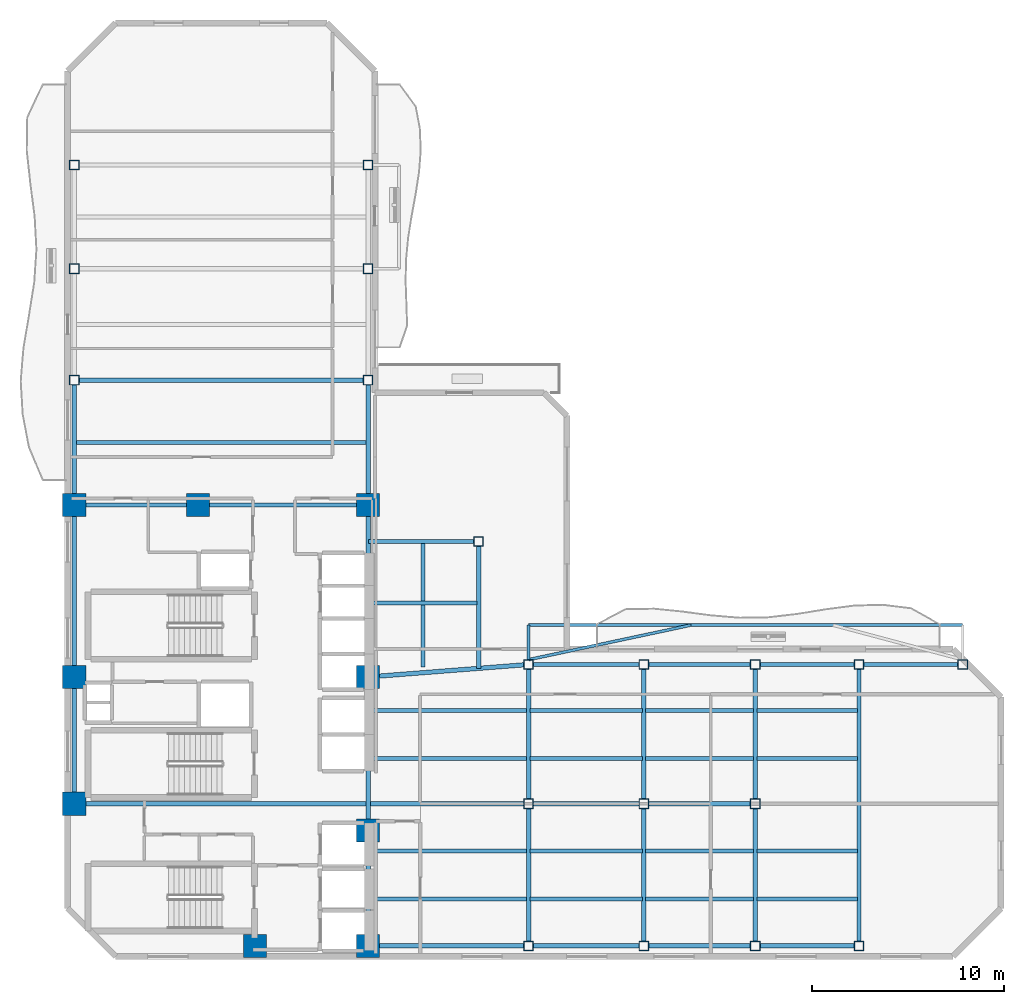
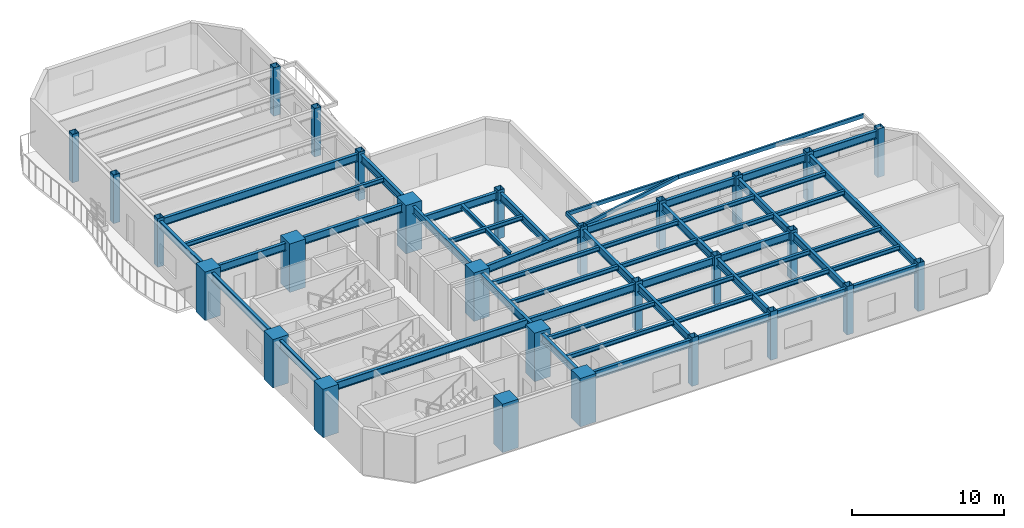
# One storey, part 1 of 9: 53 beams, 28 columns.
"""IFC4 building model written with IfcOpenShell, lengths in metres."""

from ifc_helpers import new_model, si_unit, direction, frame, origin, origin_2d, place, context, subcontext, project, spatial, rectangle, hollow_rectangle, i_section, extrude, material, material_profile, profile_set, type_object, element, save


model = new_model("IFC4")

# Units and contexts
model_context = context("Model", 3, precision=1e-05, world=origin(), true_north=direction((0.0, 1.0)))
body_context = subcontext(model_context, "Body", "Model", "MODEL_VIEW")
ifc_project = project(units=[si_unit("LENGTHUNIT", "METRE"), si_unit("AREAUNIT", "SQUARE_METRE"), si_unit("VOLUMEUNIT", "CUBIC_METRE"), si_unit("PLANEANGLEUNIT", "RADIAN"), si_unit("MASSUNIT", "GRAM", prefix="KILO")], contexts=[model_context])

# Site, building, storey
site_placement = place(None, origin())
site = spatial("IfcSite", under=ifc_project, at=site_placement, CompositionType="ELEMENT")
building_placement = place(site_placement, origin())
building = spatial("IfcBuilding", under=site, at=building_placement, Name="Mawjaban Terraces University", CompositionType="ELEMENT")
storey_placement = place(building_placement, frame((0.0, 0.0, 115.10009765625)))
storey = spatial("IfcBuildingStorey", under=building, at=storey_placement, Name="L27", CompositionType="ELEMENT", Elevation=115.10009765625)

# Columns
ifc_material_1 = material(Name="Concrete C60/75", Category="concrete")
ifc_material_profile_1 = material_profile(ifc_material_1, rectangle(XDim=1.199951171875, YDim=1.199951171875, at=origin_2d()), Name="RC1200X1200")
ifc_profile_set_1 = profile_set([ifc_material_profile_1], Name="Concrete C60/75")
column_type_1 = type_object("IfcColumnType", Name="Col_RC1200X1200", PredefinedType="COLUMN", material=ifc_profile_set_1)
for number, where, z_axis, x_axis, name in (
    (1, (31.75, 0.550048828125, 0.0), (0.0, 0.0, 1.0), (1.0, 0.0, 0.0), "L27 Column CC2"),
    (2, (37.64990234375, 0.550048828125, 0.0), (0.0, 0.0, 1.0), (1.0, 0.0, 0.0), "L27 Column CC3"),
    (3, (22.35009765625, 7.949951171875, 0.0), (0.0, 0.0, 1.0), (1.0, 0.0, 0.0), "L27 Column CC4"),
    (4, (37.64990234375, 6.550048828125, 0.0), (0.0, 0.0, 1.0), (1.0, 0.0, 0.0), "L27 Column CC5"),
    (5, (22.35009765625, 14.550048828125, 0.0), (0.0, 0.0, 1.0), (1.0, 0.0, 0.0), "L27 Column CC6"),
    (6, (37.64990234375, 14.550048828125, 0.0), (0.0, 0.0, 1.0), (1.0, 0.0, 0.0), "L27 Column CC7"),
    (7, (22.35009765625, 23.5, 0.0), (0.0, 0.0, 1.0), (1.0, 0.0, 0.0), "L27 Column CC8"),
    (8, (28.800048828125, 23.5, 0.0), (0.0, 0.0, 1.0), (1.0, 0.0, 0.0), "L27 Column CC9"),
    (9, (37.64990234375, 23.5, 0.0), (0.0, 0.0, 1.0), (1.0, 0.0, 0.0), "L27 Column CC10"),
):
    element("IfcColumn", number, at=place(storey_placement, frame(where, z_axis=z_axis, x_axis=x_axis)), inside=storey, type_object=column_type_1, Name=name, PredefinedType="COLUMN", context=body_context, shape_type="SweptSolid", body=[
        extrude(rectangle(XDim=1.199951171875, YDim=1.199951171875, at=origin_2d()), origin(), (0.0, 0.0, 1.0), 3.89990234375),
    ])
ifc_material_2 = material(Name="Steel EN 10210-1 S355J2H", Category="steel")
ifc_material_profile_2 = material_profile(ifc_material_2, hollow_rectangle(XDim=0.5, YDim=0.5, WallThickness=0.02490234375, at=origin_2d()), Name="SHS500X500X25")
ifc_profile_set_2 = profile_set([ifc_material_profile_2], Name="Steel EN 10210-1 S355J2H")
column_type_2 = type_object("IfcColumnType", Name="Col_SHS500X500X25", PredefinedType="COLUMN", material=ifc_profile_set_2)
for number, where, z_axis, x_axis, name in (
    (10, (46.0, 0.550048828125, 0.0), (0.0, 0.0, 1.0), (1.0, 0.0, 0.0), "L27 Column TE-460-005"),
    (11, (46.0, 7.949951171875, 0.0), (0.0, 0.0, 1.0), (1.0, 0.0, 0.0), "L27 Column TE-460-080"),
    (12, (46.0, 15.199951171875, 0.0), (0.0, 0.0, 1.0), (1.0, 0.0, 0.0), "L27 Column TE-460-152"),
    (13, (52.0, 0.550048828125, 0.0), (0.0, 0.0, 1.0), (1.0, 0.0, 0.0), "L27 Column TE-520-005"),
    (14, (52.0, 7.949951171875, 0.0), (0.0, 0.0, 1.0), (1.0, 0.0, 0.0), "L27 Column TE-520-080"),
    (15, (52.0, 15.199951171875, 0.0), (0.0, 0.0, 1.0), (1.0, 0.0, 0.0), "L27 Column TE-520-152"),
    (16, (57.800048828125, 0.550048828125, 0.0), (0.0, 0.0, 1.0), (1.0, 0.0, 0.0), "L27 Column TE-578-005"),
    (17, (57.800048828125, 7.949951171875, 0.0), (0.0, 0.0, 1.0), (1.0, 0.0, 0.0), "L27 Column TE-578-080"),
    (18, (57.800048828125, 15.199951171875, 0.0), (0.0, 0.0, 1.0), (1.0, 0.0, 0.0), "L27 Column TE-578-152"),
    (19, (63.199951171875, 0.550048828125, 0.0), (0.0, 0.0, 1.0), (1.0, 0.0, 0.0), "L27 Column TE-632-005"),
    (20, (63.199951171875, 15.199951171875, 0.0), (0.0, 0.0, 1.0), (1.0, 0.0, 0.0), "L27 Column TE-632-152"),
    (21, (68.60009765625, 15.199951171875, 0.0), (0.0, 0.0, 1.0), (1.0, 0.0, 0.0), "L27 Column TE-686-152"),
    (22, (22.35009765625, 30.0, 0.0), (0.0, 0.0, 1.0), (1.0, 0.0, 0.0), "L27 Column TN-223-300"),
    (23, (37.64990234375, 30.0, 0.0), (0.0, 0.0, 1.0), (1.0, 0.0, 0.0), "L27 Column TN-376-300"),
    (24, (22.35009765625, 35.800048828125, 0.0), (0.0, 0.0, 1.0), (1.0, 0.0, 0.0), "L27 Column TN-223-358"),
    (25, (37.64990234375, 35.800048828125, 0.0), (0.0, 0.0, 1.0), (1.0, 0.0, 0.0), "L27 Column TN-376-358"),
    (26, (22.35009765625, 41.199951171875, 0.0), (0.0, 0.0, 1.0), (1.0, 0.0, 0.0), "L27 Column TN-223-412"),
    (27, (37.64990234375, 41.199951171875, 0.0), (0.0, 0.0, 1.0), (1.0, 0.0, 0.0), "L27 Column TN-376-412"),
    (28, (43.39990234375, 21.60009765625, 0.0), (0.0, 0.0, 1.0), (1.0, 0.0, 0.0), "L27 Column TS-434-216"),
):
    element("IfcColumn", number, at=place(storey_placement, frame(where, z_axis=z_axis, x_axis=x_axis)), inside=storey, type_object=column_type_2, Name=name, PredefinedType="COLUMN", context=body_context, shape_type="SweptSolid", body=[
        extrude(hollow_rectangle(XDim=0.5, YDim=0.5, WallThickness=0.02490234375, at=origin_2d()), origin(), (0.0, 0.0, 1.0), 3.89990234375),
    ])

# Beams
ifc_material_profile_3 = material_profile(ifc_material_2, hollow_rectangle(XDim=0.14990234375, YDim=0.300048828125, WallThickness=0.012451171875, at=origin_2d()), Name="RHS300X150X12.5")
ifc_profile_set_3 = profile_set([ifc_material_profile_3], Name="Steel EN 10210-1 S355J2H")
beam_type_1 = type_object("IfcBeamType", Name="BalconyCantileverSpandrel_RHS", PredefinedType="SPANDREL", material=ifc_profile_set_3)
beam_1_placement = place(storey_placement, frame((46.0, 15.449951171875, 3.539794921875), z_axis=(0.0, 1.0, 0.0), x_axis=(-1.0, 0.0, 0.0)))
element("IfcBeam", 29, at=beam_1_placement, inside=storey, type_object=beam_type_1, Name="L27 Exterior Outrigger BAL-L28-N.1", PredefinedType="SPANDREL", context=body_context, shape_type="SweptSolid", body=[
    extrude(hollow_rectangle(XDim=0.14990234375, YDim=0.300048828125, WallThickness=0.012451171875, at=origin_2d()), origin(), (0.0, 0.0, 1.0), 1.800048828125),
])
beam_2_placement = place(storey_placement, frame((46.0, 17.25, 3.539794921875), z_axis=(1.0, 0.0, 0.0), x_axis=(0.0, 1.0, 0.0)))
element("IfcBeam", 30, at=beam_2_placement, inside=storey, type_object=beam_type_1, Name="L27 Exterior Edge Spandrel BAL-L28-N", PredefinedType="SPANDREL", context=body_context, shape_type="SweptSolid", body=[
    extrude(hollow_rectangle(XDim=0.14990234375, YDim=0.300048828125, WallThickness=0.012451171875, at=origin_2d()), origin(), (0.0, 0.0, 1.0), 22.60009765625),
])
beam_3_placement = place(storey_placement, frame((46.0, 15.449951171875, 3.539794921875), z_axis=(0.978069088277, 0.208280720558, 0.0), x_axis=(-0.208280720558, 0.978069088277, 0.0)))
element("IfcBeam", 31, at=beam_3_placement, inside=storey, type_object=beam_type_1, Name="L27 Exterior Diagonal Strut BAL-L28-N.1", PredefinedType="SPANDREL", context=body_context, shape_type="SweptSolid", body=[
    extrude(hollow_rectangle(XDim=0.14990234375, YDim=0.300048828125, WallThickness=0.012451171875, at=origin_2d()), origin(), (0.0, 0.0, 1.0), 8.642333984375),
])
ifc_material_3 = material(Name="Steel ASTM A572 Grade 50", Category="steel")
ifc_material_profile_4 = material_profile(ifc_material_3, i_section(OverallWidth=0.22998046875, OverallDepth=0.616943359375, WebThickness=0.01318359375, FlangeThickness=0.022216796875, at=origin_2d()), Name="W610X140")
ifc_profile_set_4 = profile_set([ifc_material_profile_4], Name="Steel ASTM A572 Grade 50")
beam_type_2 = type_object("IfcBeamType", Name="Beam_B_W610X140", PredefinedType="BEAM", material=ifc_profile_set_4)
beam_4_placement = place(storey_placement, frame((38.25, 0.550048828125, 3.3818359375), z_axis=(1.0, 0.0, 0.0), x_axis=(0.0, 1.0, 0.0)))
element("IfcBeam", 32, at=beam_4_placement, inside=storey, type_object=beam_type_2, Name="L27 Beam BM-L27-EW-01", PredefinedType="BEAM", context=body_context, shape_type="SweptSolid", body=[
    extrude(i_section(OverallWidth=0.22998046875, OverallDepth=0.616943359375, WebThickness=0.01318359375, FlangeThickness=0.022216796875, at=origin_2d()), origin(), (0.0, 0.0, 1.0), 7.5),
])
beam_5_placement = place(storey_placement, frame((46.25, 0.550048828125, 3.3818359375), z_axis=(1.0, 0.0, 0.0), x_axis=(0.0, 1.0, 0.0)))
element("IfcBeam", 33, at=beam_5_placement, inside=storey, type_object=beam_type_2, Name="L27 Beam BM-L27-EW-02", PredefinedType="BEAM", context=body_context, shape_type="SweptSolid", body=[
    extrude(i_section(OverallWidth=0.22998046875, OverallDepth=0.616943359375, WebThickness=0.01318359375, FlangeThickness=0.022216796875, at=origin_2d()), origin(), (0.0, 0.0, 1.0), 5.5),
])
beam_6_placement = place(storey_placement, frame((52.25, 0.550048828125, 3.3818359375), z_axis=(1.0, 0.0, 0.0), x_axis=(0.0, 1.0, 0.0)))
element("IfcBeam", 34, at=beam_6_placement, inside=storey, type_object=beam_type_2, Name="L27 Beam BM-L27-EW-03", PredefinedType="BEAM", context=body_context, shape_type="SweptSolid", body=[
    extrude(i_section(OverallWidth=0.22998046875, OverallDepth=0.616943359375, WebThickness=0.01318359375, FlangeThickness=0.022216796875, at=origin_2d()), origin(), (0.0, 0.0, 1.0), 5.300048828125),
])
beam_7_placement = place(storey_placement, frame((58.050048828125, 0.550048828125, 3.3818359375), z_axis=(1.0, 0.0, 0.0), x_axis=(0.0, 1.0, 0.0)))
element("IfcBeam", 35, at=beam_7_placement, inside=storey, type_object=beam_type_2, Name="L27 Beam BM-L27-EW-04", PredefinedType="BEAM", context=body_context, shape_type="SweptSolid", body=[
    extrude(i_section(OverallWidth=0.22998046875, OverallDepth=0.616943359375, WebThickness=0.01318359375, FlangeThickness=0.022216796875, at=origin_2d()), origin(), (0.0, 0.0, 1.0), 4.89990234375),
])
beam_8_placement = place(storey_placement, frame((22.949951171875, 7.949951171875, 3.3818359375), z_axis=(1.0, 0.0, 0.0), x_axis=(0.0, 1.0, 0.0)))
element("IfcBeam", 36, at=beam_8_placement, inside=storey, type_object=beam_type_2, Name="L27 Beam BM-L27-EW-05", PredefinedType="BEAM", context=body_context, shape_type="SweptSolid", body=[
    extrude(i_section(OverallWidth=0.22998046875, OverallDepth=0.616943359375, WebThickness=0.01318359375, FlangeThickness=0.022216796875, at=origin_2d()), origin(), (0.0, 0.0, 1.0), 22.800048828125),
])
beam_9_placement = place(storey_placement, frame((46.25, 7.949951171875, 3.3818359375), z_axis=(1.0, 0.0, 0.0), x_axis=(0.0, 1.0, 0.0)))
element("IfcBeam", 37, at=beam_9_placement, inside=storey, type_object=beam_type_2, Name="L27 Beam BM-L27-EW-06", PredefinedType="BEAM", context=body_context, shape_type="SweptSolid", body=[
    extrude(i_section(OverallWidth=0.22998046875, OverallDepth=0.616943359375, WebThickness=0.01318359375, FlangeThickness=0.022216796875, at=origin_2d()), origin(), (0.0, 0.0, 1.0), 5.5),
])
beam_10_placement = place(storey_placement, frame((52.25, 7.949951171875, 3.3818359375), z_axis=(1.0, 0.0, 0.0), x_axis=(0.0, 1.0, 0.0)))
element("IfcBeam", 38, at=beam_10_placement, inside=storey, type_object=beam_type_2, Name="L27 Beam BM-L27-EW-07", PredefinedType="BEAM", context=body_context, shape_type="SweptSolid", body=[
    extrude(i_section(OverallWidth=0.22998046875, OverallDepth=0.616943359375, WebThickness=0.01318359375, FlangeThickness=0.022216796875, at=origin_2d()), origin(), (0.0, 0.0, 1.0), 5.300048828125),
])
beam_11_placement = place(storey_placement, frame((46.25, 15.199951171875, 3.3818359375), z_axis=(1.0, 0.0, 0.0), x_axis=(0.0, 1.0, 0.0)))
element("IfcBeam", 39, at=beam_11_placement, inside=storey, type_object=beam_type_2, Name="L27 Beam BM-L27-EW-08", PredefinedType="BEAM", context=body_context, shape_type="SweptSolid", body=[
    extrude(i_section(OverallWidth=0.22998046875, OverallDepth=0.616943359375, WebThickness=0.01318359375, FlangeThickness=0.022216796875, at=origin_2d()), origin(), (0.0, 0.0, 1.0), 5.5),
])
beam_12_placement = place(storey_placement, frame((52.25, 15.199951171875, 3.3818359375), z_axis=(1.0, 0.0, 0.0), x_axis=(0.0, 1.0, 0.0)))
element("IfcBeam", 40, at=beam_12_placement, inside=storey, type_object=beam_type_2, Name="L27 Beam BM-L27-EW-09", PredefinedType="BEAM", context=body_context, shape_type="SweptSolid", body=[
    extrude(i_section(OverallWidth=0.22998046875, OverallDepth=0.616943359375, WebThickness=0.01318359375, FlangeThickness=0.022216796875, at=origin_2d()), origin(), (0.0, 0.0, 1.0), 5.300048828125),
])
beam_13_placement = place(storey_placement, frame((58.050048828125, 15.199951171875, 3.3818359375), z_axis=(1.0, 0.0, 0.0), x_axis=(0.0, 1.0, 0.0)))
element("IfcBeam", 41, at=beam_13_placement, inside=storey, type_object=beam_type_2, Name="L27 Beam BM-L27-EW-10", PredefinedType="BEAM", context=body_context, shape_type="SweptSolid", body=[
    extrude(i_section(OverallWidth=0.22998046875, OverallDepth=0.616943359375, WebThickness=0.01318359375, FlangeThickness=0.022216796875, at=origin_2d()), origin(), (0.0, 0.0, 1.0), 4.89990234375),
])
beam_14_placement = place(storey_placement, frame((63.449951171875, 15.199951171875, 3.3818359375), z_axis=(1.0, 0.0, 0.0), x_axis=(0.0, 1.0, 0.0)))
element("IfcBeam", 42, at=beam_14_placement, inside=storey, type_object=beam_type_2, Name="L27 Beam BM-L27-EW-11", PredefinedType="BEAM", context=body_context, shape_type="SweptSolid", body=[
    extrude(i_section(OverallWidth=0.22998046875, OverallDepth=0.616943359375, WebThickness=0.01318359375, FlangeThickness=0.022216796875, at=origin_2d()), origin(), (0.0, 0.0, 1.0), 4.900146484375),
])
beam_15_placement = place(storey_placement, frame((22.949951171875, 23.5, 3.3818359375), z_axis=(1.0, 0.0, 0.0), x_axis=(0.0, 1.0, 0.0)))
element("IfcBeam", 43, at=beam_15_placement, inside=storey, type_object=beam_type_2, Name="L27 Beam BM-L27-EW-12", PredefinedType="BEAM", context=body_context, shape_type="SweptSolid", body=[
    extrude(i_section(OverallWidth=0.22998046875, OverallDepth=0.616943359375, WebThickness=0.01318359375, FlangeThickness=0.022216796875, at=origin_2d()), origin(), (0.0, 0.0, 1.0), 5.25),
])
beam_16_placement = place(storey_placement, frame((29.39990234375, 23.5, 3.3818359375), z_axis=(1.0, 0.0, 0.0), x_axis=(0.0, 1.0, 0.0)))
element("IfcBeam", 44, at=beam_16_placement, inside=storey, type_object=beam_type_2, Name="L27 Beam BM-L27-EW-13", PredefinedType="BEAM", context=body_context, shape_type="SweptSolid", body=[
    extrude(i_section(OverallWidth=0.22998046875, OverallDepth=0.616943359375, WebThickness=0.01318359375, FlangeThickness=0.022216796875, at=origin_2d()), origin(), (0.0, 0.0, 1.0), 7.650146484375),
])
beam_17_placement = place(storey_placement, frame((22.60009765625, 30.0, 3.3818359375), z_axis=(1.0, 0.0, 0.0), x_axis=(0.0, 1.0, 0.0)))
element("IfcBeam", 45, at=beam_17_placement, inside=storey, type_object=beam_type_2, Name="L27 Beam BM-L27-EW-14", PredefinedType="BEAM", context=body_context, shape_type="SweptSolid", body=[
    extrude(i_section(OverallWidth=0.22998046875, OverallDepth=0.616943359375, WebThickness=0.01318359375, FlangeThickness=0.022216796875, at=origin_2d()), origin(), (0.0, 0.0, 1.0), 14.7998046875),
])
beam_18_placement = place(storey_placement, frame((22.35009765625, 8.550048828125, 3.3818359375), z_axis=(0.0, 1.0, 0.0), x_axis=(-1.0, 0.0, 0.0)))
element("IfcBeam", 46, at=beam_18_placement, inside=storey, type_object=beam_type_2, Name="L27 Beam BM-L27-NS-01", PredefinedType="BEAM", context=body_context, shape_type="SweptSolid", body=[
    extrude(i_section(OverallWidth=0.22998046875, OverallDepth=0.616943359375, WebThickness=0.01318359375, FlangeThickness=0.022216796875, at=origin_2d()), origin(), (0.0, 0.0, 1.0), 5.39990234375),
])
beam_19_placement = place(storey_placement, frame((22.35009765625, 15.14990234375, 3.3818359375), z_axis=(0.0, 1.0, 0.0), x_axis=(-1.0, 0.0, 0.0)))
element("IfcBeam", 47, at=beam_19_placement, inside=storey, type_object=beam_type_2, Name="L27 Beam BM-L27-NS-02", PredefinedType="BEAM", context=body_context, shape_type="SweptSolid", body=[
    extrude(i_section(OverallWidth=0.22998046875, OverallDepth=0.616943359375, WebThickness=0.01318359375, FlangeThickness=0.022216796875, at=origin_2d()), origin(), (0.0, 0.0, 1.0), 7.75),
])
beam_20_placement = place(storey_placement, frame((22.35009765625, 24.10009765625, 3.3818359375), z_axis=(0.0, 1.0, 0.0), x_axis=(-1.0, 0.0, 0.0)))
element("IfcBeam", 48, at=beam_20_placement, inside=storey, type_object=beam_type_2, Name="L27 Beam BM-L27-NS-03", PredefinedType="BEAM", context=body_context, shape_type="SweptSolid", body=[
    extrude(i_section(OverallWidth=0.22998046875, OverallDepth=0.616943359375, WebThickness=0.01318359375, FlangeThickness=0.022216796875, at=origin_2d()), origin(), (0.0, 0.0, 1.0), 5.64990234375),
])
beam_21_placement = place(storey_placement, frame((37.64990234375, 1.14990234375, 3.3818359375), z_axis=(0.0, 1.0, 0.0), x_axis=(-1.0, 0.0, 0.0)))
element("IfcBeam", 49, at=beam_21_placement, inside=storey, type_object=beam_type_2, Name="L27 Beam BM-L27-NS-06", PredefinedType="BEAM", context=body_context, shape_type="SweptSolid", body=[
    extrude(i_section(OverallWidth=0.22998046875, OverallDepth=0.616943359375, WebThickness=0.01318359375, FlangeThickness=0.022216796875, at=origin_2d()), origin(), (0.0, 0.0, 1.0), 4.800048828125),
])
beam_22_placement = place(storey_placement, frame((37.64990234375, 7.14990234375, 3.3818359375), z_axis=(0.0, 1.0, 0.0), x_axis=(-1.0, 0.0, 0.0)))
element("IfcBeam", 50, at=beam_22_placement, inside=storey, type_object=beam_type_2, Name="L27 Beam BM-L27-NS-07", PredefinedType="BEAM", context=body_context, shape_type="SweptSolid", body=[
    extrude(i_section(OverallWidth=0.22998046875, OverallDepth=0.616943359375, WebThickness=0.01318359375, FlangeThickness=0.022216796875, at=origin_2d()), origin(), (0.0, 0.0, 1.0), 6.800048828125),
])
beam_23_placement = place(storey_placement, frame((37.64990234375, 15.14990234375, 3.3818359375), z_axis=(0.0, 1.0, 0.0), x_axis=(-1.0, 0.0, 0.0)))
element("IfcBeam", 51, at=beam_23_placement, inside=storey, type_object=beam_type_2, Name="L27 Beam BM-L27-NS-08", PredefinedType="BEAM", context=body_context, shape_type="SweptSolid", body=[
    extrude(i_section(OverallWidth=0.22998046875, OverallDepth=0.616943359375, WebThickness=0.01318359375, FlangeThickness=0.022216796875, at=origin_2d()), origin(), (0.0, 0.0, 1.0), 7.75),
])
beam_24_placement = place(storey_placement, frame((37.64990234375, 24.10009765625, 3.3818359375), z_axis=(0.0, 1.0, 0.0), x_axis=(-1.0, 0.0, 0.0)))
element("IfcBeam", 52, at=beam_24_placement, inside=storey, type_object=beam_type_2, Name="L27 Beam BM-L27-NS-09", PredefinedType="BEAM", context=body_context, shape_type="SweptSolid", body=[
    extrude(i_section(OverallWidth=0.22998046875, OverallDepth=0.616943359375, WebThickness=0.01318359375, FlangeThickness=0.022216796875, at=origin_2d()), origin(), (0.0, 0.0, 1.0), 5.64990234375),
])
beam_25_placement = place(storey_placement, frame((46.0, 0.800048828125, 3.3818359375), z_axis=(0.0, 1.0, 0.0), x_axis=(-1.0, 0.0, 0.0)))
element("IfcBeam", 53, at=beam_25_placement, inside=storey, type_object=beam_type_2, Name="L27 Beam BM-L27-NS-12", PredefinedType="BEAM", context=body_context, shape_type="SweptSolid", body=[
    extrude(i_section(OverallWidth=0.22998046875, OverallDepth=0.616943359375, WebThickness=0.01318359375, FlangeThickness=0.022216796875, at=origin_2d()), origin(), (0.0, 0.0, 1.0), 6.89990234375),
])
beam_26_placement = place(storey_placement, frame((46.0, 8.199951171875, 3.3818359375), z_axis=(0.0, 1.0, 0.0), x_axis=(-1.0, 0.0, 0.0)))
element("IfcBeam", 54, at=beam_26_placement, inside=storey, type_object=beam_type_2, Name="L27 Beam BM-L27-NS-13", PredefinedType="BEAM", context=body_context, shape_type="SweptSolid", body=[
    extrude(i_section(OverallWidth=0.22998046875, OverallDepth=0.616943359375, WebThickness=0.01318359375, FlangeThickness=0.022216796875, at=origin_2d()), origin(), (0.0, 0.0, 1.0), 6.75),
])
beam_27_placement = place(storey_placement, frame((52.0, 0.800048828125, 3.3818359375), z_axis=(0.0, 1.0, 0.0), x_axis=(-1.0, 0.0, 0.0)))
element("IfcBeam", 55, at=beam_27_placement, inside=storey, type_object=beam_type_2, Name="L27 Beam BM-L27-NS-14", PredefinedType="BEAM", context=body_context, shape_type="SweptSolid", body=[
    extrude(i_section(OverallWidth=0.22998046875, OverallDepth=0.616943359375, WebThickness=0.01318359375, FlangeThickness=0.022216796875, at=origin_2d()), origin(), (0.0, 0.0, 1.0), 6.89990234375),
])
beam_28_placement = place(storey_placement, frame((52.0, 8.199951171875, 3.3818359375), z_axis=(0.0, 1.0, 0.0), x_axis=(-1.0, 0.0, 0.0)))
element("IfcBeam", 56, at=beam_28_placement, inside=storey, type_object=beam_type_2, Name="L27 Beam BM-L27-NS-15", PredefinedType="BEAM", context=body_context, shape_type="SweptSolid", body=[
    extrude(i_section(OverallWidth=0.22998046875, OverallDepth=0.616943359375, WebThickness=0.01318359375, FlangeThickness=0.022216796875, at=origin_2d()), origin(), (0.0, 0.0, 1.0), 6.75),
])
beam_29_placement = place(storey_placement, frame((57.800048828125, 0.800048828125, 3.3818359375), z_axis=(0.0, 1.0, 0.0), x_axis=(-1.0, 0.0, 0.0)))
element("IfcBeam", 57, at=beam_29_placement, inside=storey, type_object=beam_type_2, Name="L27 Beam BM-L27-NS-16", PredefinedType="BEAM", context=body_context, shape_type="SweptSolid", body=[
    extrude(i_section(OverallWidth=0.22998046875, OverallDepth=0.616943359375, WebThickness=0.01318359375, FlangeThickness=0.022216796875, at=origin_2d()), origin(), (0.0, 0.0, 1.0), 6.89990234375),
])
beam_30_placement = place(storey_placement, frame((57.800048828125, 8.199951171875, 3.3818359375), z_axis=(0.0, 1.0, 0.0), x_axis=(-1.0, 0.0, 0.0)))
element("IfcBeam", 58, at=beam_30_placement, inside=storey, type_object=beam_type_2, Name="L27 Beam BM-L27-NS-17", PredefinedType="BEAM", context=body_context, shape_type="SweptSolid", body=[
    extrude(i_section(OverallWidth=0.22998046875, OverallDepth=0.616943359375, WebThickness=0.01318359375, FlangeThickness=0.022216796875, at=origin_2d()), origin(), (0.0, 0.0, 1.0), 6.75),
])
beam_31_placement = place(storey_placement, frame((63.199951171875, 0.800048828125, 3.3818359375), z_axis=(0.0, 1.0, 0.0), x_axis=(-1.0, 0.0, 0.0)))
element("IfcBeam", 59, at=beam_31_placement, inside=storey, type_object=beam_type_2, Name="L27 Beam BM-L27-NS-18", PredefinedType="BEAM", context=body_context, shape_type="SweptSolid", body=[
    extrude(i_section(OverallWidth=0.22998046875, OverallDepth=0.616943359375, WebThickness=0.01318359375, FlangeThickness=0.022216796875, at=origin_2d()), origin(), (0.0, 0.0, 1.0), 14.14990234375),
])
beam_32_placement = place(storey_placement, frame((38.248046875, 14.596923828125, 3.3818359375), z_axis=(0.996984614132, 0.077599479273, 0.0), x_axis=(-0.077599479273, 0.996984614132, 0.0)))
element("IfcBeam", 60, at=beam_32_placement, inside=storey, type_object=beam_type_2, Name="L27 Beam BM-L27-CTIE", PredefinedType="BEAM", context=body_context, shape_type="SweptSolid", body=[
    extrude(i_section(OverallWidth=0.22998046875, OverallDepth=0.616943359375, WebThickness=0.01318359375, FlangeThickness=0.022216796875, at=origin_2d()), origin(), (0.0, 0.0, 1.0), 7.525634765625),
])
beam_33_placement = place(storey_placement, frame((37.679931640625, 21.60009765625, 3.3818359375), z_axis=(1.0, 0.0, 0.0), x_axis=(0.0, 1.0, 0.0)))
element("IfcBeam", 61, at=beam_33_placement, inside=storey, type_object=beam_type_2, Name="L27 Spur Tie Girder West", PredefinedType="BEAM", context=body_context, shape_type="SweptSolid", body=[
    extrude(i_section(OverallWidth=0.22998046875, OverallDepth=0.616943359375, WebThickness=0.01318359375, FlangeThickness=0.022216796875, at=origin_2d()), origin(), (0.0, 0.0, 1.0), 5.469970703125),
])
beam_34_placement = place(storey_placement, frame((43.39990234375, 15.0, 3.3818359375), z_axis=(0.0, 1.0, 0.0), x_axis=(-1.0, 0.0, 0.0)))
element("IfcBeam", 62, at=beam_34_placement, inside=storey, type_object=beam_type_2, Name="L27 Spur Tie Girder South", PredefinedType="BEAM", context=body_context, shape_type="SweptSolid", body=[
    extrude(i_section(OverallWidth=0.22998046875, OverallDepth=0.616943359375, WebThickness=0.01318359375, FlangeThickness=0.022216796875, at=origin_2d()), origin(), (0.0, 0.0, 1.0), 6.35009765625),
])
ifc_material_profile_5 = material_profile(ifc_material_3, i_section(OverallWidth=0.202880859375, OverallDepth=0.346923828125, WebThickness=0.0078125, FlangeThickness=0.013427734375, at=origin_2d()), Name="W360X64")
ifc_profile_set_5 = profile_set([ifc_material_profile_5], Name="Steel ASTM A572 Grade 50")
beam_type_3 = type_object("IfcBeamType", Name="Beam_J_W360X64", PredefinedType="JOIST", material=ifc_profile_set_5)
beam_35_placement = place(storey_placement, frame((37.72998046875, 3.0, 3.516845703125), z_axis=(1.0, 0.0, 0.0), x_axis=(0.0, 1.0, 0.0)))
element("IfcBeam", 63, at=beam_35_placement, inside=storey, type_object=beam_type_3, Name="L27 Composite Joist JST-L27-01", PredefinedType="JOIST", context=body_context, shape_type="SweptSolid", body=[
    extrude(i_section(OverallWidth=0.202880859375, OverallDepth=0.346923828125, WebThickness=0.0078125, FlangeThickness=0.013427734375, at=origin_2d()), origin(), (0.0, 0.0, 1.0), 8.18994140625),
])
beam_36_placement = place(storey_placement, frame((46.080078125, 3.0, 3.516845703125), z_axis=(1.0, 0.0, 0.0), x_axis=(0.0, 1.0, 0.0)))
element("IfcBeam", 64, at=beam_36_placement, inside=storey, type_object=beam_type_3, Name="L27 Composite Joist JST-L27-02", PredefinedType="JOIST", context=body_context, shape_type="SweptSolid", body=[
    extrude(i_section(OverallWidth=0.202880859375, OverallDepth=0.346923828125, WebThickness=0.0078125, FlangeThickness=0.013427734375, at=origin_2d()), origin(), (0.0, 0.0, 1.0), 5.83984375),
])
beam_37_placement = place(storey_placement, frame((52.080078125, 3.0, 3.516845703125), z_axis=(1.0, 0.0, 0.0), x_axis=(0.0, 1.0, 0.0)))
element("IfcBeam", 65, at=beam_37_placement, inside=storey, type_object=beam_type_3, Name="L27 Composite Joist JST-L27-03", PredefinedType="JOIST", context=body_context, shape_type="SweptSolid", body=[
    extrude(i_section(OverallWidth=0.202880859375, OverallDepth=0.346923828125, WebThickness=0.0078125, FlangeThickness=0.013427734375, at=origin_2d()), origin(), (0.0, 0.0, 1.0), 5.639892578125),
])
beam_38_placement = place(storey_placement, frame((57.8798828125, 3.0, 3.516845703125), z_axis=(1.0, 0.0, 0.0), x_axis=(0.0, 1.0, 0.0)))
element("IfcBeam", 66, at=beam_38_placement, inside=storey, type_object=beam_type_3, Name="L27 Composite Joist JST-L27-04", PredefinedType="JOIST", context=body_context, shape_type="SweptSolid", body=[
    extrude(i_section(OverallWidth=0.202880859375, OverallDepth=0.346923828125, WebThickness=0.0078125, FlangeThickness=0.013427734375, at=origin_2d()), origin(), (0.0, 0.0, 1.0), 5.240234375),
])
beam_39_placement = place(storey_placement, frame((37.72998046875, 5.5, 3.516845703125), z_axis=(1.0, 0.0, 0.0), x_axis=(0.0, 1.0, 0.0)))
element("IfcBeam", 67, at=beam_39_placement, inside=storey, type_object=beam_type_3, Name="L27 Composite Joist JST-L27-05", PredefinedType="JOIST", context=body_context, shape_type="SweptSolid", body=[
    extrude(i_section(OverallWidth=0.202880859375, OverallDepth=0.346923828125, WebThickness=0.0078125, FlangeThickness=0.013427734375, at=origin_2d()), origin(), (0.0, 0.0, 1.0), 8.18994140625),
])
beam_40_placement = place(storey_placement, frame((46.080078125, 5.5, 3.516845703125), z_axis=(1.0, 0.0, 0.0), x_axis=(0.0, 1.0, 0.0)))
element("IfcBeam", 68, at=beam_40_placement, inside=storey, type_object=beam_type_3, Name="L27 Composite Joist JST-L27-06", PredefinedType="JOIST", context=body_context, shape_type="SweptSolid", body=[
    extrude(i_section(OverallWidth=0.202880859375, OverallDepth=0.346923828125, WebThickness=0.0078125, FlangeThickness=0.013427734375, at=origin_2d()), origin(), (0.0, 0.0, 1.0), 5.83984375),
])
beam_41_placement = place(storey_placement, frame((52.080078125, 5.5, 3.516845703125), z_axis=(1.0, 0.0, 0.0), x_axis=(0.0, 1.0, 0.0)))
element("IfcBeam", 69, at=beam_41_placement, inside=storey, type_object=beam_type_3, Name="L27 Composite Joist JST-L27-07", PredefinedType="JOIST", context=body_context, shape_type="SweptSolid", body=[
    extrude(i_section(OverallWidth=0.202880859375, OverallDepth=0.346923828125, WebThickness=0.0078125, FlangeThickness=0.013427734375, at=origin_2d()), origin(), (0.0, 0.0, 1.0), 5.639892578125),
])
beam_42_placement = place(storey_placement, frame((57.8798828125, 5.5, 3.516845703125), z_axis=(1.0, 0.0, 0.0), x_axis=(0.0, 1.0, 0.0)))
element("IfcBeam", 70, at=beam_42_placement, inside=storey, type_object=beam_type_3, Name="L27 Composite Joist JST-L27-08", PredefinedType="JOIST", context=body_context, shape_type="SweptSolid", body=[
    extrude(i_section(OverallWidth=0.202880859375, OverallDepth=0.346923828125, WebThickness=0.0078125, FlangeThickness=0.013427734375, at=origin_2d()), origin(), (0.0, 0.0, 1.0), 5.240234375),
])
beam_43_placement = place(storey_placement, frame((37.72998046875, 10.300048828125, 3.516845703125), z_axis=(1.0, 0.0, 0.0), x_axis=(0.0, 1.0, 0.0)))
element("IfcBeam", 71, at=beam_43_placement, inside=storey, type_object=beam_type_3, Name="L27 Composite Joist JST-L27-09", PredefinedType="JOIST", context=body_context, shape_type="SweptSolid", body=[
    extrude(i_section(OverallWidth=0.202880859375, OverallDepth=0.346923828125, WebThickness=0.0078125, FlangeThickness=0.013427734375, at=origin_2d()), origin(), (0.0, 0.0, 1.0), 8.18994140625),
])
beam_44_placement = place(storey_placement, frame((46.080078125, 10.300048828125, 3.516845703125), z_axis=(1.0, 0.0, 0.0), x_axis=(0.0, 1.0, 0.0)))
element("IfcBeam", 72, at=beam_44_placement, inside=storey, type_object=beam_type_3, Name="L27 Composite Joist JST-L27-10", PredefinedType="JOIST", context=body_context, shape_type="SweptSolid", body=[
    extrude(i_section(OverallWidth=0.202880859375, OverallDepth=0.346923828125, WebThickness=0.0078125, FlangeThickness=0.013427734375, at=origin_2d()), origin(), (0.0, 0.0, 1.0), 5.83984375),
])
beam_45_placement = place(storey_placement, frame((52.080078125, 10.300048828125, 3.516845703125), z_axis=(1.0, 0.0, 0.0), x_axis=(0.0, 1.0, 0.0)))
element("IfcBeam", 73, at=beam_45_placement, inside=storey, type_object=beam_type_3, Name="L27 Composite Joist JST-L27-11", PredefinedType="JOIST", context=body_context, shape_type="SweptSolid", body=[
    extrude(i_section(OverallWidth=0.202880859375, OverallDepth=0.346923828125, WebThickness=0.0078125, FlangeThickness=0.013427734375, at=origin_2d()), origin(), (0.0, 0.0, 1.0), 5.639892578125),
])
beam_46_placement = place(storey_placement, frame((57.8798828125, 10.300048828125, 3.516845703125), z_axis=(1.0, 0.0, 0.0), x_axis=(0.0, 1.0, 0.0)))
element("IfcBeam", 74, at=beam_46_placement, inside=storey, type_object=beam_type_3, Name="L27 Composite Joist JST-L27-12", PredefinedType="JOIST", context=body_context, shape_type="SweptSolid", body=[
    extrude(i_section(OverallWidth=0.202880859375, OverallDepth=0.346923828125, WebThickness=0.0078125, FlangeThickness=0.013427734375, at=origin_2d()), origin(), (0.0, 0.0, 1.0), 5.240234375),
])
beam_47_placement = place(storey_placement, frame((37.72998046875, 12.800048828125, 3.516845703125), z_axis=(1.0, 0.0, 0.0), x_axis=(0.0, 1.0, 0.0)))
element("IfcBeam", 75, at=beam_47_placement, inside=storey, type_object=beam_type_3, Name="L27 Composite Joist JST-L27-13", PredefinedType="JOIST", context=body_context, shape_type="SweptSolid", body=[
    extrude(i_section(OverallWidth=0.202880859375, OverallDepth=0.346923828125, WebThickness=0.0078125, FlangeThickness=0.013427734375, at=origin_2d()), origin(), (0.0, 0.0, 1.0), 8.18994140625),
])
beam_48_placement = place(storey_placement, frame((46.080078125, 12.800048828125, 3.516845703125), z_axis=(1.0, 0.0, 0.0), x_axis=(0.0, 1.0, 0.0)))
element("IfcBeam", 76, at=beam_48_placement, inside=storey, type_object=beam_type_3, Name="L27 Composite Joist JST-L27-14", PredefinedType="JOIST", context=body_context, shape_type="SweptSolid", body=[
    extrude(i_section(OverallWidth=0.202880859375, OverallDepth=0.346923828125, WebThickness=0.0078125, FlangeThickness=0.013427734375, at=origin_2d()), origin(), (0.0, 0.0, 1.0), 5.83984375),
])
beam_49_placement = place(storey_placement, frame((52.080078125, 12.800048828125, 3.516845703125), z_axis=(1.0, 0.0, 0.0), x_axis=(0.0, 1.0, 0.0)))
element("IfcBeam", 77, at=beam_49_placement, inside=storey, type_object=beam_type_3, Name="L27 Composite Joist JST-L27-15", PredefinedType="JOIST", context=body_context, shape_type="SweptSolid", body=[
    extrude(i_section(OverallWidth=0.202880859375, OverallDepth=0.346923828125, WebThickness=0.0078125, FlangeThickness=0.013427734375, at=origin_2d()), origin(), (0.0, 0.0, 1.0), 5.639892578125),
])
beam_50_placement = place(storey_placement, frame((57.8798828125, 12.800048828125, 3.516845703125), z_axis=(1.0, 0.0, 0.0), x_axis=(0.0, 1.0, 0.0)))
element("IfcBeam", 78, at=beam_50_placement, inside=storey, type_object=beam_type_3, Name="L27 Composite Joist JST-L27-16", PredefinedType="JOIST", context=body_context, shape_type="SweptSolid", body=[
    extrude(i_section(OverallWidth=0.202880859375, OverallDepth=0.346923828125, WebThickness=0.0078125, FlangeThickness=0.013427734375, at=origin_2d()), origin(), (0.0, 0.0, 1.0), 5.240234375),
])
beam_51_placement = place(storey_placement, frame((37.72998046875, 18.39990234375, 3.516845703125), z_axis=(1.0, 0.0, 0.0), x_axis=(0.0, 1.0, 0.0)))
element("IfcBeam", 79, at=beam_51_placement, inside=storey, type_object=beam_type_3, Name="L27 Composite Joist JST-L27-17", PredefinedType="JOIST", context=body_context, shape_type="SweptSolid", body=[
    extrude(i_section(OverallWidth=0.202880859375, OverallDepth=0.346923828125, WebThickness=0.0078125, FlangeThickness=0.013427734375, at=origin_2d()), origin(), (0.0, 0.0, 1.0), 5.590087890625),
])
beam_52_placement = place(storey_placement, frame((22.429931640625, 26.75, 3.516845703125), z_axis=(1.0, 0.0, 0.0), x_axis=(0.0, 1.0, 0.0)))
element("IfcBeam", 80, at=beam_52_placement, inside=storey, type_object=beam_type_3, Name="L27 Composite Joist JST-L27-18", PredefinedType="JOIST", context=body_context, shape_type="SweptSolid", body=[
    extrude(i_section(OverallWidth=0.202880859375, OverallDepth=0.346923828125, WebThickness=0.0078125, FlangeThickness=0.013427734375, at=origin_2d()), origin(), (0.0, 0.0, 1.0), 15.14013671875),
])
beam_53_placement = place(storey_placement, frame((40.5, 15.080078125, 3.516845703125), z_axis=(0.0, 1.0, 0.0), x_axis=(-1.0, 0.0, 0.0)))
element("IfcBeam", 81, at=beam_53_placement, inside=storey, type_object=beam_type_3, Name="L27 Composite Joist JST-L27-NS-21", PredefinedType="JOIST", context=body_context, shape_type="SweptSolid", body=[
    extrude(i_section(OverallWidth=0.202880859375, OverallDepth=0.346923828125, WebThickness=0.0078125, FlangeThickness=0.013427734375, at=origin_2d()), origin(), (0.0, 0.0, 1.0), 6.43994140625),
])

save(model, "model.ifc")
